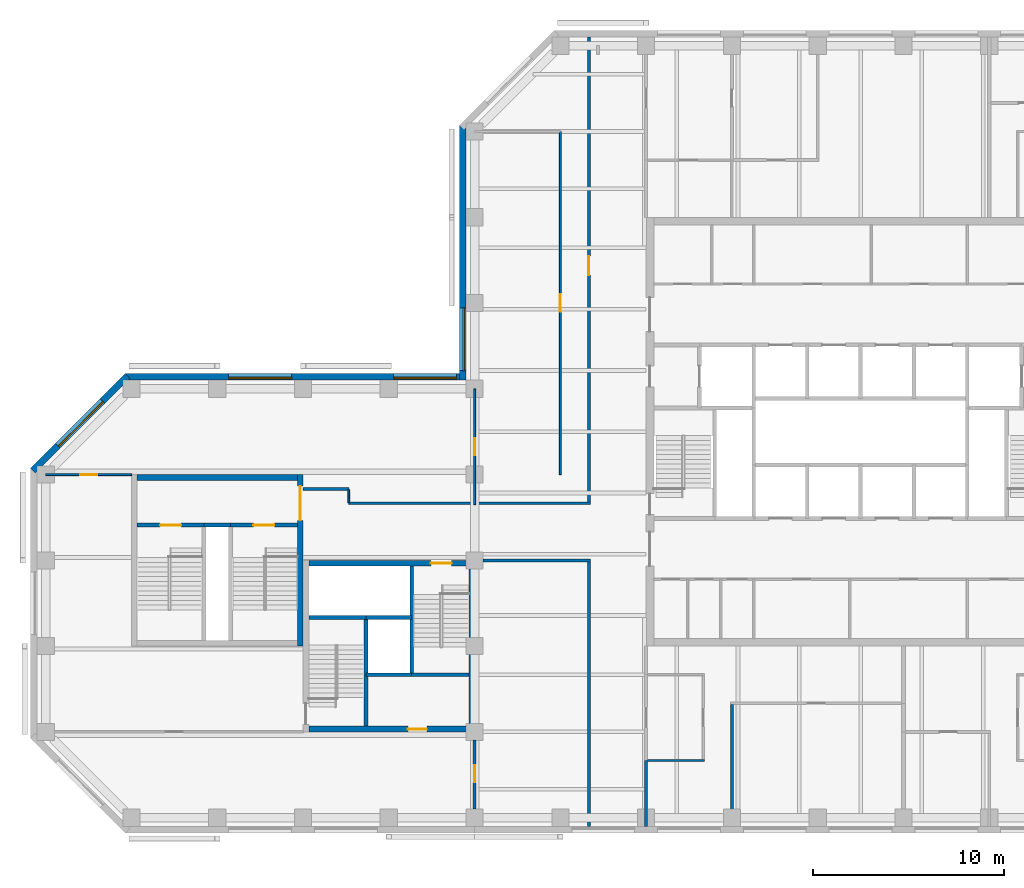
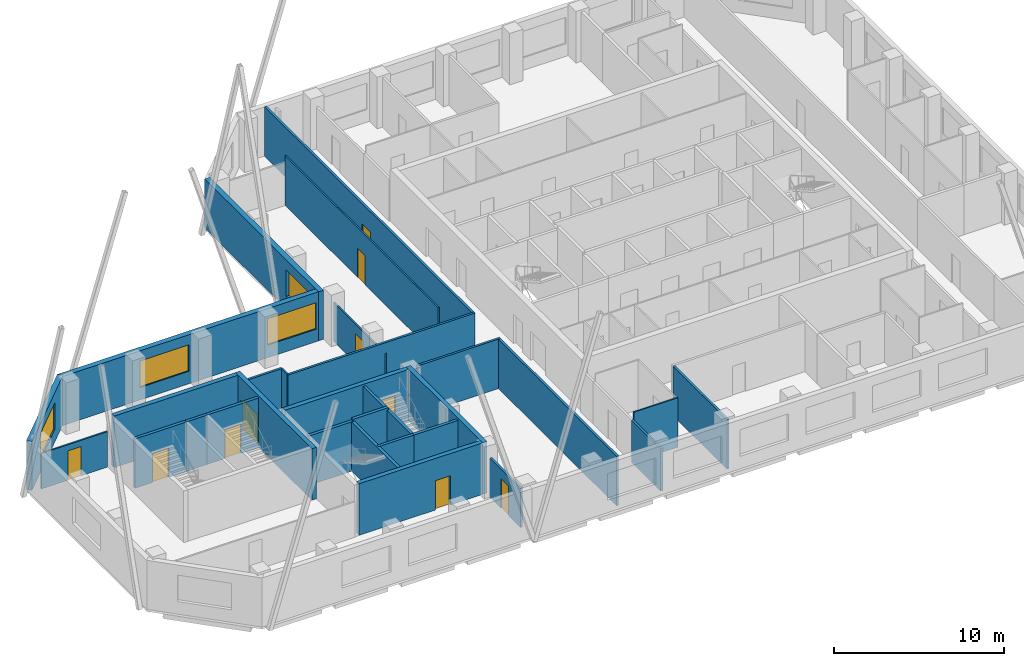
# One storey, part 3 of 9: 30 walls, 10 doors, 4 windows, 14 openings.
"""IFC4 building model written with IfcOpenShell, lengths in metres."""

import ifcopenshell
import ifcopenshell.guid

model = None  # the IFC model being written
_history = None  # IfcOwnerHistory: only IFC2X3 demands one
_inside = {}  # id of a spatial element -> (the spatial element, [elements in it])
_under = {}  # id of a project, library or spatial element -> (it, [spatial elements below it])
_declared = {}  # id of a project -> (the project, [libraries it declares])
_typed = {}  # id of a type object -> (the type object, [elements of that type])
_made_of = {}  # id of a material, layer set ... -> (it, [elements and type objects made of it])


def new_model(schema):
    """Start an empty IFC model of exactly this schema.

    Asked for "IFC4X3", IfcOpenShell would pick the latest addendum, in which some entities
    have other attributes; the version numbers below select the first issue.
    IFC2X3 requires an IfcOwnerHistory on every rooted entity: one is made here for all.
    """
    global model, _history
    if schema == "IFC4X3":
        model = ifcopenshell.file(schema_version=(4, 3, 0, 0))
    else:
        model = ifcopenshell.file(schema=schema)
    _inside.clear()
    _under.clear()
    _declared.clear()
    _typed.clear()
    _made_of.clear()
    _history = None
    if model.schema == "IFC2X3":
        org = make("IfcOrganization", Name="unknown")
        user = make(
            "IfcPersonAndOrganization",
            ThePerson=make("IfcPerson", FamilyName="unknown"),
            TheOrganization=org,
        )
        app = make(
            "IfcApplication",
            ApplicationDeveloper=org,
            Version="unknown",
            ApplicationFullName="unknown",
            ApplicationIdentifier="unknown",
        )
        _history = make(
            "IfcOwnerHistory",
            OwningUser=user,
            OwningApplication=app,
            ChangeAction="ADDED",
            CreationDate=0,
        )
    return model


def make(cls, **values):
    """One entity of the class cls with the attributes given. An attribute that is None is left unset."""
    return model.create_entity(
        cls, **{name: value for name, value in values.items() if value is not None}
    )


def rooted(cls, **values):
    """An entity with a GlobalId (a new one), such as an element, a storey or a relation."""
    return make(cls, GlobalId=ifcopenshell.guid.new(), OwnerHistory=_history, **values)


def si_unit(unit_type, name, prefix=None):
    """IfcSIUnit, for example si_unit("LENGTHUNIT", "METRE", prefix="MILLI")."""
    return make("IfcSIUnit", UnitType=unit_type, Prefix=prefix, Name=name)


def assignment(units):
    """IfcUnitAssignment: the units of a project."""
    return None if units is None else make("IfcUnitAssignment", Units=units)


def point(xyz):
    """IfcCartesianPoint."""
    return None if xyz is None else make("IfcCartesianPoint", Coordinates=xyz)


def direction(xyz):
    """IfcDirection."""
    return None if xyz is None else make("IfcDirection", DirectionRatios=xyz)


def frame(location, z_axis=None, x_axis=None):
    """IfcAxis2Placement3D, a coordinate frame: its origin and axes. An axis left out is left unset."""
    return make(
        "IfcAxis2Placement3D",
        Location=point(location),
        Axis=direction(z_axis),
        RefDirection=direction(x_axis),
    )


def frame_2d(location, x_axis=None):
    """IfcAxis2Placement2D, a coordinate frame in the plane: its origin and x axis."""
    return make(
        "IfcAxis2Placement2D", Location=point(location), RefDirection=direction(x_axis)
    )


def origin():
    """The frame at (0, 0, 0) with its axes left unset."""
    return frame((0.0, 0.0, 0.0))


def place(relative_to, where):
    """IfcLocalPlacement: puts the frame where relative to a parent placement (None: the world)."""
    return make(
        "IfcLocalPlacement", PlacementRelTo=relative_to, RelativePlacement=where
    )


def context(
    kind, dimensions, precision=None, world=None, true_north=None, identifier=None
):
    """IfcGeometricRepresentationContext, for example the 3D "Model" context."""
    return make(
        "IfcGeometricRepresentationContext",
        ContextIdentifier=identifier,
        ContextType=kind,
        CoordinateSpaceDimension=dimensions,
        Precision=precision,
        WorldCoordinateSystem=world,
        TrueNorth=true_north,
    )


def subcontext(parent, identifier, kind, view, scale=None):
    """IfcGeometricRepresentationSubContext, for example "Body" below "Model"."""
    return make(
        "IfcGeometricRepresentationSubContext",
        ContextIdentifier=identifier,
        ContextType=kind,
        ParentContext=parent,
        TargetScale=scale,
        TargetView=view,
    )


def project(units=None, contexts=None):
    """IfcProject with its units and contexts."""
    return rooted(
        "IfcProject",
        Name="project",
        RepresentationContexts=contexts,
        UnitsInContext=assignment(units),
    )


def spatial(cls, under=None, at=None, **own):
    """A site, building, storey or space (cls), placed at a placement, below another one or the project."""
    s = rooted(cls, ObjectPlacement=at, **own)
    if under is not None:
        _under.setdefault(under.id(), (under, []))[1].append(s)
    return s


def profile(cls, at=None, kind="AREA", **sizes):
    """A parametric profile (cls). Its sizes go by their IFC names, for example OverallWidth=200.0."""
    return make(cls, ProfileType=kind, Position=at, **sizes)


def rectangle(**sizes):
    """IfcRectangleProfileDef."""
    return profile("IfcRectangleProfileDef", **sizes)


def extrude(swept, where, along, depth):
    """IfcExtrudedAreaSolid: the profile swept, set in the frame where, extruded along a direction by depth."""
    return make(
        "IfcExtrudedAreaSolid",
        SweptArea=swept,
        Position=where,
        ExtrudedDirection=direction(along),
        Depth=depth,
    )


def shape(context_of_items, identifier, shape_type, items):
    """IfcShapeRepresentation: the items that make up one representation, for example the "Body"."""
    return make(
        "IfcShapeRepresentation",
        ContextOfItems=context_of_items,
        RepresentationIdentifier=identifier,
        RepresentationType=shape_type,
        Items=items,
    )


def material(Name=None, Category=None):
    """IfcMaterial."""
    return make("IfcMaterial", Name=Name, Category=Category)


def layer(
    of_material, thickness, ventilated=None, Name=None, Category=None, Priority=None
):
    """IfcMaterialLayer: one layer of a wall or slab, of a material (None: an air gap)."""
    return make(
        "IfcMaterialLayer",
        Material=of_material,
        LayerThickness=thickness,
        IsVentilated=ventilated,
        Name=Name,
        Category=Category,
        Priority=Priority,
    )


def layer_set(layers, Name=None):
    """IfcMaterialLayerSet."""
    return make("IfcMaterialLayerSet", MaterialLayers=layers, LayerSetName=Name)


def constituent(of_material, Name=None, Category=None, fraction=None):
    """IfcMaterialConstituent: one of the materials an element consists of."""
    return make(
        "IfcMaterialConstituent",
        Name=Name,
        Material=of_material,
        Fraction=fraction,
        Category=Category,
    )


def constituent_set(constituents=None, Name=None):
    """IfcMaterialConstituentSet."""
    return make(
        "IfcMaterialConstituentSet", Name=Name, MaterialConstituents=constituents
    )


def made_of(thing, what):
    """Note that an element or type object is made of a material, layer set ...; save() writes the relation."""
    if what is not None:
        _made_of.setdefault(what.id(), (what, []))[1].append(thing)
    return thing


def type_object(cls, material=None, **own):
    """A type object (cls), such as IfcWallType, which elements share."""
    return made_of(rooted(cls, **own), material)


def element(
    cls,
    number,
    at=None,
    inside=None,
    cuts=None,
    type_object=None,
    material=None,
    context=None,
    identifier="Body",
    shape_type=None,
    held_by="IfcProductDefinitionShape",
    body=None,
    shapes=None,
    **own,
):
    """One element of the class cls, such as IfcWall. Its Tag is "e" and its number.

    at: its placement. inside: the storey or other place that contains it. cuts: it is an
    opening in that element (IfcRelVoidsElement). A single representation is given by context,
    identifier, shape_type and body (its items); several are given by shapes. held_by: the class
    of the entity that holds the representations. save() writes the other relations.
    """
    e = rooted(cls, Tag="e%d" % number, ObjectPlacement=at, **own)
    if body is not None:
        shapes = [shape(context, identifier, shape_type, body)]
    if shapes is not None:
        e.Representation = make(held_by, Representations=shapes)
    if inside is not None:
        _inside.setdefault(inside.id(), (inside, []))[1].append(e)
    if cuts is not None:
        rooted(
            "IfcRelVoidsElement", RelatingBuildingElement=cuts, RelatedOpeningElement=e
        )
    if type_object is not None:
        _typed.setdefault(type_object.id(), (type_object, []))[1].append(e)
    return made_of(e, material)


def fill(opening, filler):
    """IfcRelFillsElement: the door or window that sits in an opening."""
    return rooted(
        "IfcRelFillsElement",
        RelatingOpeningElement=opening,
        RelatedBuildingElement=filler,
    )


def aggregate(whole, parts):
    """IfcRelAggregates: a whole, such as a stair, and the parts it consists of."""
    return rooted("IfcRelAggregates", RelatingObject=whole, RelatedObjects=parts)


def save(model, path):
    """Write the relations noted so far, then the file.

    IfcRelAggregates (storeys below a building ...), IfcRelContainedInSpatialStructure (elements
    in a storey), IfcRelDefinesByType, IfcRelAssociatesMaterial and IfcRelDeclares: one each for
    every whole, place, type object, material and project.
    """
    for whole, parts in _under.values():
        aggregate(whole, parts)
    for where, things in _inside.values():
        rooted(
            "IfcRelContainedInSpatialStructure",
            RelatedElements=things,
            RelatingStructure=where,
        )
    for kind, things in _typed.values():
        rooted("IfcRelDefinesByType", RelatedObjects=things, RelatingType=kind)
    for what, things in _made_of.values():
        rooted("IfcRelAssociatesMaterial", RelatedObjects=things, RelatingMaterial=what)
    for by, libraries in _declared.values():
        rooted("IfcRelDeclares", RelatingContext=by, RelatedDefinitions=libraries)
    model.write(path)


model = new_model("IFC4")

# Units and contexts
model_context = context("Model", 3, precision=1e-05, world=origin(), true_north=direction((0.0, 1.0)))
body_context = subcontext(model_context, "Body", "Model", "MODEL_VIEW")
ifc_project = project(units=[si_unit("LENGTHUNIT", "METRE"), si_unit("AREAUNIT", "SQUARE_METRE"), si_unit("VOLUMEUNIT", "CUBIC_METRE"), si_unit("PLANEANGLEUNIT", "RADIAN"), si_unit("MASSUNIT", "GRAM", prefix="KILO")], contexts=[model_context])

# Site, building, storey
site_placement = place(None, origin())
site = spatial("IfcSite", under=ifc_project, at=site_placement, CompositionType="ELEMENT")
building_placement = place(site_placement, origin())
building = spatial("IfcBuilding", under=site, at=building_placement, Name="Quoin Convention Tower", CompositionType="ELEMENT")
storey_placement = place(building_placement, frame((0.0, 0.0, 219.300048828125)))
storey = spatial("IfcBuildingStorey", under=building, at=storey_placement, Name="L57", CompositionType="ELEMENT", Elevation=219.300048828125)

# Wall
ifc_material_1 = material(Name="Plasterboard")
ifc_layer_1 = layer(ifc_material_1, 0.012451171875, Name="Finish")
ifc_material_2 = material(Name="Steel stud framing", Category="steel")
ifc_layer_2 = layer(ifc_material_2, 0.125, Name="Structure")
ifc_layer_3 = layer(ifc_material_1, 0.012451171875, Name="Finish")
ifc_layer_set_1 = layer_set([ifc_layer_1, ifc_layer_2, ifc_layer_3], Name="Steel stud framing")
wall_type_1 = type_object("IfcWallType", Name="Acoustic partition 150", PredefinedType="PARTITIONING", material=ifc_layer_set_1)
wall_1_placement = place(storey_placement, frame((49.5, 40.050048828125, 0.0), z_axis=(0.0, 0.0, 1.0), x_axis=(0.0, 1.0, 0.0)))
element("IfcWall", 1, at=wall_1_placement, inside=storey, type_object=wall_type_1, Name="pw-L57-028", PredefinedType="PARTITIONING", context=body_context, shape_type="SweptSolid", body=[
    extrude(rectangle(XDim=6.375, YDim=0.14990234375, at=frame_2d((3.1875, 0.0))), origin(), (0.0, 0.0, 1.0), 3.550048828125),
])

# Wall, opening, window
ifc_material_3 = material(Name="Brick masonry", Category="masonry")
ifc_layer_4 = layer(ifc_material_3, 0.35009765625)
ifc_layer_set_2 = layer_set([ifc_layer_4], Name="Brick masonry")
wall_type_2 = type_object("IfcWallType", Name="Brick facade wall", PredefinedType="STANDARD", material=ifc_layer_set_2)
wall_2_placement = place(storey_placement, frame((35.375, 76.831298828125, 0.0), z_axis=(0.0, 0.0, 1.0), x_axis=(0.0, -1.0, 0.0)))
wall_2 = element("IfcWall", 2, at=wall_2_placement, inside=storey, type_object=wall_type_2, Name="fw-L57-36000_76500", PredefinedType="STANDARD", context=body_context, shape_type="SweptSolid", body=[
    extrude(rectangle(XDim=13.38134765625, YDim=0.35009765625, at=frame_2d((6.690673828125, 0.0))), origin(), (0.0, 0.0, 1.0), 3.52490234375),
])
opening_1_placement = place(wall_2_placement, frame((9.581298828125, 0.0, 0.89990234375)))
opening_1 = element("IfcOpeningElement", 3, at=opening_1_placement, cuts=wall_2, Name="Opening W-02", PredefinedType="OPENING", context=body_context, shape_type="SweptSolid", body=[
    extrude(rectangle(XDim=3.300048828125, YDim=1.89990234375, at=frame_2d((1.64990234375, 0.949951171875))), frame((0.0, 0.18505859375, 0.0), z_axis=(0.0, -1.0, 0.0), x_axis=(1.0, 0.0, 0.0)), (0.0, 0.0, 1.0), 0.3701171875),
])
ifc_material_4 = material(Name="Aluminium", Category="aluminium")
ifc_constituent_1 = constituent(ifc_material_4, Name="Frame")
ifc_material_5 = material(Name="Insulated glass", Category="glass")
ifc_constituent_2 = constituent(ifc_material_5, Name="Glazing")
ifc_constituent_set = constituent_set(constituents=[ifc_constituent_1, ifc_constituent_2], Name="Aluminium")
window_type = type_object("IfcWindowType", Name="Office window", PartitioningType="DOUBLE_PANEL_VERTICAL", PredefinedType="WINDOW", material=ifc_constituent_set)
window_1_placement = place(opening_1_placement, origin())
window_1 = element("IfcWindow", 4, at=window_1_placement, inside=storey, type_object=window_type, Name="win-L57-35375_65250", OverallHeight=1.89990234375, OverallWidth=3.300048828125, PartitioningType="SINGLE_PANEL", PredefinedType="WINDOW", context=body_context, shape_type="SweptSolid", body=[
    extrude(rectangle(XDim=3.300048828125, YDim=1.89990234375, at=frame_2d((1.64990234375, 0.949951171875))), frame((0.0, 0.0849609375, 0.0), z_axis=(0.0, -1.0, 0.0), x_axis=(1.0, 0.0, 0.0)), (0.0, 0.0, 1.0), 0.06005859375),
])
fill(opening_1, window_1)

# Wall, openings, windows
wall_3_placement = place(storey_placement, frame((35.550048828125, 63.625, 0.0), z_axis=(0.0, 0.0, 1.0), x_axis=(-1.0, 0.0, 0.0)))
wall_3 = element("IfcWall", 5, at=wall_3_placement, inside=storey, type_object=wall_type_2, Name="fw-L57-36000_63000", PredefinedType="STANDARD", context=body_context, shape_type="SweptSolid", body=[
    extrude(rectangle(XDim=17.88134765625, YDim=0.35009765625, at=frame_2d((8.940673828125, 0.0))), origin(), (0.0, 0.0, 1.0), 3.52490234375),
])
opening_2_placement = place(wall_3_placement, frame((0.5, 0.0, 0.89990234375)))
opening_2 = element("IfcOpeningElement", 6, at=opening_2_placement, cuts=wall_3, Name="Opening W-02", PredefinedType="OPENING", context=body_context, shape_type="SweptSolid", body=[
    extrude(rectangle(XDim=3.300048828125, YDim=1.89990234375, at=frame_2d((1.64990234375, 0.949951171875))), frame((0.0, 0.18505859375, 0.0), z_axis=(0.0, -1.0, 0.0), x_axis=(1.0, 0.0, 0.0)), (0.0, 0.0, 1.0), 0.3701171875),
])
opening_3_placement = place(wall_3_placement, frame((9.14990234375, 0.0, 0.89990234375)))
opening_3 = element("IfcOpeningElement", 7, at=opening_3_placement, cuts=wall_3, Name="Opening W-02", PredefinedType="OPENING", context=body_context, shape_type="SweptSolid", body=[
    extrude(rectangle(XDim=3.300048828125, YDim=1.89990234375, at=frame_2d((1.64990234375, 0.949951171875))), frame((0.0, 0.18505859375, 0.0), z_axis=(0.0, -1.0, 0.0), x_axis=(1.0, 0.0, 0.0)), (0.0, 0.0, 1.0), 0.3701171875),
])
window_2_placement = place(opening_2_placement, origin())
window_2 = element("IfcWindow", 8, at=window_2_placement, inside=storey, type_object=window_type, Name="win-L57-33750_63625", OverallHeight=1.89990234375, OverallWidth=3.300048828125, PartitioningType="SINGLE_PANEL", PredefinedType="WINDOW", context=body_context, shape_type="SweptSolid", body=[
    extrude(rectangle(XDim=3.300048828125, YDim=1.89990234375, at=frame_2d((1.64990234375, 0.949951171875))), frame((0.0, 0.0849609375, 0.0), z_axis=(0.0, -1.0, 0.0), x_axis=(1.0, 0.0, 0.0)), (0.0, 0.0, 1.0), 0.06005859375),
])
fill(opening_2, window_2)
window_3_placement = place(opening_3_placement, origin())
window_3 = element("IfcWindow", 9, at=window_3_placement, inside=storey, type_object=window_type, Name="win-L57-24750_63625", OverallHeight=1.89990234375, OverallWidth=3.300048828125, PartitioningType="SINGLE_PANEL", PredefinedType="WINDOW", context=body_context, shape_type="SweptSolid", body=[
    extrude(rectangle(XDim=3.300048828125, YDim=1.89990234375, at=frame_2d((1.64990234375, 0.949951171875))), frame((0.0, 0.0849609375, 0.0), z_axis=(0.0, -1.0, 0.0), x_axis=(1.0, 0.0, 0.0)), (0.0, 0.0, 1.0), 0.06005859375),
])
fill(opening_3, window_3)

# Wall, opening, window
wall_4_placement = place(storey_placement, frame((17.79248046875, 63.67626953125, 0.0), z_axis=(0.0, 0.0, 1.0), x_axis=(-0.707106781187, -0.707106781187, 0.0)))
wall_4 = element("IfcWall", 10, at=wall_4_placement, inside=storey, type_object=wall_type_2, Name="fw-L57-18000_63000", PredefinedType="STANDARD", context=body_context, shape_type="SweptSolid", body=[
    extrude(rectangle(XDim=7.02685546875, YDim=0.35009765625, at=frame_2d((3.513427734375, 0.0))), origin(), (0.0, 0.0, 1.0), 3.52490234375),
])
opening_4_placement = place(wall_4_placement, frame((1.86328125, 0.0, 0.89990234375)))
opening_4 = element("IfcOpeningElement", 11, at=opening_4_placement, cuts=wall_4, Name="Opening W-02", PredefinedType="OPENING", context=body_context, shape_type="SweptSolid", body=[
    extrude(rectangle(XDim=3.300048828125, YDim=1.89990234375, at=frame_2d((1.64990234375, 0.949951171875))), frame((0.0, 0.18505859375, 0.0), z_axis=(0.0, -1.0, 0.0), x_axis=(1.0, 0.0, 0.0)), (0.0, 0.0, 1.0), 0.3701171875),
])
window_4_placement = place(opening_4_placement, origin())
window_4 = element("IfcWindow", 12, at=window_4_placement, inside=storey, type_object=window_type, Name="win-L57-15308_61192", OverallHeight=1.89990234375, OverallWidth=3.300048828125, PartitioningType="SINGLE_PANEL", PredefinedType="WINDOW", context=body_context, shape_type="SweptSolid", body=[
    extrude(rectangle(XDim=3.300048828125, YDim=1.89990234375, at=frame_2d((1.64990234375, 0.949951171875))), frame((0.0, 0.0849609375, 0.0), z_axis=(0.0, -1.0, 0.0), x_axis=(1.0, 0.0, 0.0)), (0.0, 0.0, 1.0), 0.06005859375),
])
fill(opening_4, window_4)

# Walls
ifc_material_6 = material(Name="Concrete C50", Category="concrete")
ifc_layer_5 = layer(ifc_material_6, 0.199951171875)
ifc_layer_set_3 = layer_set([ifc_layer_5], Name="Concrete C50")
wall_type_3 = type_object("IfcWallType", Name="Core shaft wall", PredefinedType="SOLIDWALL", material=ifc_layer_set_3)
wall_5_placement = place(storey_placement, frame((30.300048828125, 48.0, 0.0), z_axis=(0.0, 0.0, 1.0), x_axis=(1.0, 0.0, 0.0)))
element("IfcWall", 13, at=wall_5_placement, inside=storey, type_object=wall_type_3, Name="cr-P2-L57-h3000_3300", PredefinedType="SOLIDWALL", context=body_context, shape_type="SweptSolid", body=[
    extrude(rectangle(XDim=2.39990234375, YDim=0.199951171875, at=frame_2d((1.199951171875, 0.0))), origin(), (0.0, 0.0, 1.0), 3.550048828125),
])
for number, where, z_axis, x_axis, name in (
    (14, (32.699951171875, 48.0, 0.0), (0.0, 0.0, 1.0), (1.0, 0.0, 0.0), "cr-P2-L57-h3000_5700"),
    (15, (27.300048828125, 51.0, 0.0), (0.0, 0.0, 1.0), (1.0, 0.0, 0.0), "cr-P2-L57-h6000_300"),
):
    element("IfcWall", number, at=place(storey_placement, frame(where, z_axis=z_axis, x_axis=x_axis)), inside=storey, type_object=wall_type_3, Name=name, PredefinedType="SOLIDWALL", context=body_context, shape_type="SweptSolid", body=[
        extrude(rectangle(XDim=3.0, YDim=0.199951171875, at=frame_2d((1.5, 0.0))), origin(), (0.0, 0.0, 1.0), 3.550048828125),
    ])
for number, where, z_axis, x_axis, name in (
    (16, (30.300048828125, 45.300048828125, 0.0), (0.0, 0.0, 1.0), (0.0, 1.0, 0.0), "cr-P2-L57-v3300_300"),
    (17, (32.699951171875, 48.0, 0.0), (0.0, 0.0, 1.0), (0.0, 1.0, 0.0), "cr-P2-L57-v5700_3000"),
):
    element("IfcWall", number, at=place(storey_placement, frame(where, z_axis=z_axis, x_axis=x_axis)), inside=storey, type_object=wall_type_3, Name=name, PredefinedType="SOLIDWALL", context=body_context, shape_type="SweptSolid", body=[
        extrude(rectangle(XDim=5.699951171875, YDim=0.199951171875, at=frame_2d((2.85009765625, 0.0))), origin(), (0.0, 0.0, 1.0), 3.550048828125),
    ])
wall_6_placement = place(storey_placement, frame((21.800048828125, 55.85009765625, 0.0), z_axis=(0.0, 0.0, 1.0), x_axis=(1.0, 0.0, 0.0)))
element("IfcWall", 18, at=wall_6_placement, inside=storey, type_object=wall_type_3, Name="cr-P6-L57-h6350_3800", PredefinedType="SOLIDWALL", context=body_context, shape_type="SweptSolid", body=[
    extrude(rectangle(XDim=1.39990234375, YDim=0.199951171875, at=frame_2d((0.699951171875, 0.0))), origin(), (0.0, 0.0, 1.0), 3.550048828125),
])

# Wall, opening, door
wall_7_placement = place(storey_placement, frame((18.300048828125, 55.85009765625, 0.0), z_axis=(0.0, 0.0, 1.0), x_axis=(1.0, 0.0, 0.0)))
wall_7 = element("IfcWall", 19, at=wall_7_placement, inside=storey, type_object=wall_type_3, Name="cr-P6-L57-h6350_300", PredefinedType="SOLIDWALL", context=body_context, shape_type="SweptSolid", body=[
    extrude(rectangle(XDim=3.5, YDim=0.199951171875, at=frame_2d((1.75, 0.0))), origin(), (0.0, 0.0, 1.0), 3.550048828125),
])
opening_5_placement = place(wall_7_placement, frame((1.199951171875, 0.0, 0.0)))
opening_5 = element("IfcOpeningElement", 20, at=opening_5_placement, cuts=wall_7, Name="Opening SD11", PredefinedType="OPENING", context=body_context, shape_type="SweptSolid", body=[
    extrude(rectangle(XDim=1.10009765625, YDim=2.10009765625, at=frame_2d((0.550048828125, 1.050048828125))), frame((0.0, 0.10986328125, 0.0), z_axis=(0.0, -1.0, 0.0), x_axis=(1.0, 0.0, 0.0)), (0.0, 0.0, 1.0), 0.219970703125),
])
ifc_material_7 = material(Name="Steel door leaf", Category="steel")
door_type_1 = type_object("IfcDoorType", Name="Stair door 1100 x 2100", OperationType="SINGLE_SWING_RIGHT", PredefinedType="DOOR", material=ifc_material_7)
door_1_placement = place(opening_5_placement, origin())
door_1 = element("IfcDoor", 21, at=door_1_placement, inside=storey, type_object=door_type_1, Name="cd-P6-L57-SA-R2-SD11", OperationType="SINGLE_SWING_RIGHT", OverallHeight=2.10009765625, OverallWidth=1.10009765625, PredefinedType="DOOR", context=body_context, shape_type="SweptSolid", body=[
    extrude(rectangle(XDim=1.10009765625, YDim=2.10009765625, at=frame_2d((0.550048828125, 1.050048828125))), frame((0.0, 0.02490234375, 0.0), z_axis=(0.0, -1.0, 0.0), x_axis=(1.0, 0.0, 0.0)), (0.0, 0.0, 1.0), 0.050048828125),
])
fill(opening_5, door_1)

wall_8_placement = place(storey_placement, frame((23.199951171875, 55.85009765625, 0.0), z_axis=(0.0, 0.0, 1.0), x_axis=(1.0, 0.0, 0.0)))
wall_8 = element("IfcWall", 22, at=wall_8_placement, inside=storey, type_object=wall_type_3, Name="cr-P6-L57-h6350_5200", PredefinedType="SOLIDWALL", context=body_context, shape_type="SweptSolid", body=[
    extrude(rectangle(XDim=3.5, YDim=0.199951171875, at=frame_2d((1.75, 0.0))), origin(), (0.0, 0.0, 1.0), 3.550048828125),
])
opening_6_placement = place(wall_8_placement, frame((1.199951171875, 0.0, 0.0)))
opening_6 = element("IfcOpeningElement", 23, at=opening_6_placement, cuts=wall_8, Name="Opening SD12", PredefinedType="OPENING", context=body_context, shape_type="SweptSolid", body=[
    extrude(rectangle(XDim=1.10009765625, YDim=2.10009765625, at=frame_2d((0.550048828125, 1.050048828125))), frame((0.0, 0.10986328125, 0.0), z_axis=(0.0, -1.0, 0.0), x_axis=(1.0, 0.0, 0.0)), (0.0, 0.0, 1.0), 0.219970703125),
])
door_2_placement = place(opening_6_placement, origin())
door_2 = element("IfcDoor", 24, at=door_2_placement, inside=storey, type_object=door_type_1, Name="cd-P6-L57-SB-R2-SD12", OperationType="SINGLE_SWING_RIGHT", OverallHeight=2.10009765625, OverallWidth=1.10009765625, PredefinedType="DOOR", context=body_context, shape_type="SweptSolid", body=[
    extrude(rectangle(XDim=1.10009765625, YDim=2.10009765625, at=frame_2d((0.550048828125, 1.050048828125))), frame((0.0, 0.02490234375, 0.0), z_axis=(0.0, -1.0, 0.0), x_axis=(1.0, 0.0, 0.0)), (0.0, 0.0, 1.0), 0.050048828125),
])
fill(opening_6, door_2)

# Walls
ifc_layer_6 = layer(ifc_material_6, 0.199951171875)
ifc_layer_set_4 = layer_set([ifc_layer_6], Name="Concrete C50")
wall_type_4 = type_object("IfcWallType", Name="Core shaft wall to the floor level over", PredefinedType="SOLIDWALL", material=ifc_layer_set_4)
wall_9_placement = place(storey_placement, frame((30.300048828125, 51.0, 0.0), z_axis=(0.0, 0.0, 1.0), x_axis=(1.0, 0.0, 0.0)))
element("IfcWall", 25, at=wall_9_placement, inside=storey, type_object=wall_type_4, Name="cr-P2-L57-h6000_3300", PredefinedType="SOLIDWALL", context=body_context, shape_type="SweptSolid", body=[
    extrude(rectangle(XDim=2.39990234375, YDim=0.199951171875, at=frame_2d((1.199951171875, 0.0))), origin(), (0.0, 0.0, 1.0), 3.699951171875),
])
ifc_layer_7 = layer(ifc_material_1, 0.012451171875, Name="Finish")
ifc_layer_8 = layer(ifc_material_2, 0.125, Name="Structure")
ifc_layer_9 = layer(ifc_material_1, 0.012451171875, Name="Finish")
ifc_layer_set_5 = layer_set([ifc_layer_7, ifc_layer_8, ifc_layer_9], Name="Steel stud framing")
wall_type_5 = type_object("IfcWallType", Name="Corridor wall 150", PredefinedType="PARTITIONING", material=ifc_layer_set_5)
wall_10_placement = place(storey_placement, frame((36.449951171875, 54.0, 0.0), z_axis=(0.0, 0.0, 1.0), x_axis=(1.0, 0.0, 0.0)))
element("IfcWall", 26, at=wall_10_placement, inside=storey, type_object=wall_type_5, Name="pw-L57-013", PredefinedType="PARTITIONING", context=body_context, shape_type="SweptSolid", body=[
    extrude(rectangle(XDim=5.625, YDim=0.14990234375, at=frame_2d((2.8125, 0.0))), origin(), (0.0, 0.0, 1.0), 3.550048828125),
])
wall_11_placement = place(storey_placement, frame((29.3798828125, 57.0, 0.0), z_axis=(0.0, 0.0, 1.0), x_axis=(1.0, 0.0, 0.0)))
element("IfcWall", 27, at=wall_11_placement, inside=storey, type_object=wall_type_5, Name="pw-L57-016", PredefinedType="PARTITIONING", context=body_context, shape_type="SweptSolid", body=[
    extrude(rectangle(XDim=12.695068359375, YDim=0.14990234375, at=frame_2d((6.34765625, 0.0))), origin(), (0.0, 0.0, 1.0), 3.550048828125),
])
wall_12_placement = place(storey_placement, frame((42.0, 40.050048828125, 0.0), z_axis=(0.0, 0.0, 1.0), x_axis=(0.0, 1.0, 0.0)))
element("IfcWall", 28, at=wall_12_placement, inside=storey, type_object=wall_type_5, Name="pw-L57-026", PredefinedType="PARTITIONING", context=body_context, shape_type="SweptSolid", body=[
    extrude(rectangle(XDim=13.875, YDim=0.14990234375, at=frame_2d((6.9375, 0.0))), origin(), (0.0, 0.0, 1.0), 3.550048828125),
])

# Wall, opening, door
wall_13_placement = place(storey_placement, frame((42.0, 57.074951171875, 0.0), z_axis=(0.0, 0.0, 1.0), x_axis=(0.0, 1.0, 0.0)))
wall_13 = element("IfcWall", 29, at=wall_13_placement, inside=storey, type_object=wall_type_5, Name="pw-L57-050", PredefinedType="PARTITIONING", context=body_context, shape_type="SweptSolid", body=[
    extrude(rectangle(XDim=24.375, YDim=0.14990234375, at=frame_2d((12.1875, 0.0))), origin(), (0.0, 0.0, 1.0), 3.550048828125),
])
opening_7_placement = place(wall_13_placement, frame((11.889892578125, 0.0, 0.0)))
opening_7 = element("IfcOpeningElement", 30, at=opening_7_placement, cuts=wall_13, Name="Opening DOH9-17", PredefinedType="OPENING", context=body_context, shape_type="SweptSolid", body=[
    extrude(rectangle(XDim=1.0, YDim=2.10009765625, at=frame_2d((0.5, 1.050048828125))), frame((0.0, 0.0849609375, 0.0), z_axis=(0.0, -1.0, 0.0), x_axis=(1.0, 0.0, 0.0)), (0.0, 0.0, 1.0), 0.169921875),
])
door_type_2 = type_object("IfcDoorType", Name="Tenancy entrance door 1000 x 2100", OperationType="DOUBLE_DOOR_SINGLE_SWING", PredefinedType="DOOR", material=ifc_material_7)
door_3_placement = place(opening_7_placement, origin())
door_3 = element("IfcDoor", 31, at=door_3_placement, inside=storey, type_object=door_type_2, Name="dr-L57-w01", OperationType="DOUBLE_DOOR_SINGLE_SWING", OverallHeight=2.10009765625, OverallWidth=1.0, PredefinedType="DOOR", context=body_context, shape_type="SweptSolid", body=[
    extrude(rectangle(XDim=1.0, YDim=2.10009765625, at=frame_2d((0.5, 1.050048828125))), frame((0.0, 0.02490234375, 0.0), z_axis=(0.0, -1.0, 0.0), x_axis=(1.0, 0.0, 0.0)), (0.0, 0.0, 1.0), 0.050048828125),
])
fill(opening_7, door_3)

# Walls
wall_14_placement = place(storey_placement, frame((27.0, 57.75, 0.0), z_axis=(0.0, 0.0, 1.0), x_axis=(1.0, 0.0, 0.0)))
element("IfcWall", 32, at=wall_14_placement, inside=storey, type_object=wall_type_5, Name="pw-L57-w07", PredefinedType="PARTITIONING", context=body_context, shape_type="SweptSolid", body=[
    extrude(rectangle(XDim=2.39990234375, YDim=0.14990234375, at=frame_2d((1.199951171875, 0.0))), origin(), (0.0, 0.0, 1.0), 3.550048828125),
])
ifc_layer_10 = layer(ifc_material_1, 0.012451171875, Name="Finish")
ifc_layer_11 = layer(ifc_material_2, 0.125, Name="Structure")
ifc_layer_12 = layer(ifc_material_1, 0.012451171875, Name="Finish")
ifc_layer_set_6 = layer_set([ifc_layer_10, ifc_layer_11, ifc_layer_12], Name="Steel stud framing")
wall_type_6 = type_object("IfcWallType", Name="Corridor wall 150 under beam 528", PredefinedType="PARTITIONING", material=ifc_layer_set_6)
wall_15_placement = place(storey_placement, frame((45.0, 40.050048828125, 0.0), z_axis=(0.0, 0.0, 1.0), x_axis=(0.0, 1.0, 0.0)))
element("IfcWall", 33, at=wall_15_placement, inside=storey, type_object=wall_type_6, Name="pw-L57-027", PredefinedType="PARTITIONING", context=body_context, shape_type="SweptSolid", body=[
    extrude(rectangle(XDim=3.449951171875, YDim=0.14990234375, at=frame_2d((1.72509765625, 0.0))), origin(), (0.0, 0.0, 1.0), 3.02197265625),
])

# Wall, opening, door
ifc_layer_13 = layer(ifc_material_1, 0.012451171875, Name="Finish")
ifc_layer_14 = layer(ifc_material_2, 0.125, Name="Structure")
ifc_layer_15 = layer(ifc_material_1, 0.012451171875, Name="Finish")
ifc_layer_set_7 = layer_set([ifc_layer_13, ifc_layer_14, ifc_layer_15], Name="Steel stud framing")
wall_type_7 = type_object("IfcWallType", Name="Corridor wall 150 under beam 750", PredefinedType="PARTITIONING", material=ifc_layer_set_7)
wall_16_placement = place(storey_placement, frame((36.0, 40.949951171875, 0.0), z_axis=(0.0, 0.0, 1.0), x_axis=(0.0, 1.0, 0.0)))
wall_16 = element("IfcWall", 34, at=wall_16_placement, inside=storey, type_object=wall_type_7, Name="pw-L57-033", PredefinedType="PARTITIONING", context=body_context, shape_type="SweptSolid", body=[
    extrude(rectangle(XDim=3.630126953125, YDim=0.14990234375, at=frame_2d((1.81494140625, 0.0))), origin(), (0.0, 0.0, 1.0), 2.800048828125),
])
opening_8_placement = place(wall_16_placement, frame((1.39990234375, 0.0, 0.0)))
opening_8 = element("IfcOpeningElement", 35, at=opening_8_placement, cuts=wall_16, Name="Opening DOH9-09", PredefinedType="OPENING", context=body_context, shape_type="SweptSolid", body=[
    extrude(rectangle(XDim=0.89990234375, YDim=2.10009765625, at=frame_2d((0.449951171875, 1.050048828125))), frame((0.0, 0.0849609375, 0.0), z_axis=(0.0, -1.0, 0.0), x_axis=(1.0, 0.0, 0.0)), (0.0, 0.0, 1.0), 0.169921875),
])
door_type_3 = type_object("IfcDoorType", Name="Office door 900 x 2100", OperationType="SINGLE_SWING_RIGHT", PredefinedType="DOOR", material=ifc_material_7)
door_4_placement = place(opening_8_placement, origin())
door_4 = element("IfcDoor", 36, at=door_4_placement, inside=storey, type_object=door_type_3, Name="dr-L57-01", OperationType="SINGLE_SWING_RIGHT", OverallHeight=2.10009765625, OverallWidth=0.89990234375, PredefinedType="DOOR", context=body_context, shape_type="SweptSolid", body=[
    extrude(rectangle(XDim=0.89990234375, YDim=2.10009765625, at=frame_2d((0.449951171875, 1.050048828125))), frame((0.0, 0.02490234375, 0.0), z_axis=(0.0, -1.0, 0.0), x_axis=(1.0, 0.0, 0.0)), (0.0, 0.0, 1.0), 0.050048828125),
])
fill(opening_8, door_4)

ifc_layer_16 = layer(ifc_material_6, 0.300048828125)
ifc_layer_set_8 = layer_set([ifc_layer_16], Name="Concrete C50")
wall_type_8 = type_object("IfcWallType", Name="RC CORE WALL 300 C50", PredefinedType="SHEAR", material=ifc_layer_set_8)
wall_17_placement = place(storey_placement, frame((27.300048828125, 45.14990234375, 0.0), z_axis=(0.0, 0.0, 1.0), x_axis=(1.0, 0.0, 0.0)))
wall_17 = element("IfcWall", 37, at=wall_17_placement, inside=storey, type_object=wall_type_8, Name="cwl-P2-L57-S", PredefinedType="SHEAR", context=body_context, shape_type="SweptSolid", body=[
    extrude(rectangle(XDim=8.39990234375, YDim=0.300048828125, at=frame_2d((4.199951171875, 0.0))), origin(), (0.0, 0.0, 1.0), 3.699951171875),
])
opening_9_placement = place(wall_17_placement, frame((5.199951171875, 0.0, 0.0)))
opening_9 = element("IfcOpeningElement", 38, at=opening_9_placement, cuts=wall_17, Name="Opening DCV1-50", PredefinedType="OPENING", context=body_context, shape_type="SweptSolid", body=[
    extrude(rectangle(XDim=1.0, YDim=2.10009765625, at=frame_2d((0.5, 1.050048828125))), frame((0.0, 0.159912109375, 0.0), z_axis=(0.0, -1.0, 0.0), x_axis=(1.0, 0.0, 0.0)), (0.0, 0.0, 1.0), 0.320068359375),
])
door_type_4 = type_object("IfcDoorType", Name="Service door 1000 x 2100", OperationType="SINGLE_SWING_LEFT", PredefinedType="DOOR", material=ifc_material_7)
door_5_placement = place(opening_9_placement, frame((1.0, 0.0, 0.0), z_axis=(0.0, 0.0, 1.0), x_axis=(-1.0, 0.0, 0.0)))
door_5 = element("IfcDoor", 39, at=door_5_placement, inside=storey, type_object=door_type_4, Name="cd-P2-L57-R2-S", OperationType="SINGLE_SWING_LEFT", OverallHeight=2.10009765625, OverallWidth=1.0, PredefinedType="DOOR", context=body_context, shape_type="SweptSolid", body=[
    extrude(rectangle(XDim=1.0, YDim=2.10009765625, at=frame_2d((0.5, 1.050048828125))), frame((0.0, 0.02490234375, 0.0), z_axis=(0.0, -1.0, 0.0), x_axis=(1.0, 0.0, 0.0)), (0.0, 0.0, 1.0), 0.050048828125),
])
fill(opening_9, door_5)

wall_18_placement = place(storey_placement, frame((27.300048828125, 53.85009765625, 0.0), z_axis=(0.0, 0.0, 1.0), x_axis=(1.0, 0.0, 0.0)))
wall_18 = element("IfcWall", 40, at=wall_18_placement, inside=storey, type_object=wall_type_8, Name="cwl-P2-L57-N", PredefinedType="SHEAR", context=body_context, shape_type="SweptSolid", body=[
    extrude(rectangle(XDim=8.39990234375, YDim=0.300048828125, at=frame_2d((4.199951171875, 0.0))), origin(), (0.0, 0.0, 1.0), 3.699951171875),
])
opening_10_placement = place(wall_18_placement, frame((6.39990234375, 0.0, 0.0)))
opening_10 = element("IfcOpeningElement", 41, at=opening_10_placement, cuts=wall_18, Name="Opening SD4", PredefinedType="OPENING", context=body_context, shape_type="SweptSolid", body=[
    extrude(rectangle(XDim=1.10009765625, YDim=2.10009765625, at=frame_2d((0.550048828125, 1.050048828125))), frame((0.0, 0.159912109375, 0.0), z_axis=(0.0, -1.0, 0.0), x_axis=(1.0, 0.0, 0.0)), (0.0, 0.0, 1.0), 0.320068359375),
])
door_6_placement = place(opening_10_placement, frame((1.10009765625, 0.0, 0.0), z_axis=(0.0, 0.0, 1.0), x_axis=(-1.0, 0.0, 0.0)))
door_6 = element("IfcDoor", 42, at=door_6_placement, inside=storey, type_object=door_type_1, Name="cd-P2-L57-SB-N", OperationType="SINGLE_SWING_LEFT", OverallHeight=2.10009765625, OverallWidth=1.10009765625, PredefinedType="DOOR", context=body_context, shape_type="SweptSolid", body=[
    extrude(rectangle(XDim=1.10009765625, YDim=2.10009765625, at=frame_2d((0.550048828125, 1.050048828125))), frame((0.0, 0.02490234375, 0.0), z_axis=(0.0, -1.0, 0.0), x_axis=(1.0, 0.0, 0.0)), (0.0, 0.0, 1.0), 0.050048828125),
])
fill(opening_10, door_6)

# Walls
wall_19_placement = place(storey_placement, frame((35.85009765625, 45.0, 0.0), z_axis=(0.0, 0.0, 1.0), x_axis=(0.0, 1.0, 0.0)))
element("IfcWall", 43, at=wall_19_placement, inside=storey, type_object=wall_type_8, Name="cwl-P2-L57-E", PredefinedType="SHEAR", context=body_context, shape_type="SweptSolid", body=[
    extrude(rectangle(XDim=9.0, YDim=0.300048828125, at=frame_2d((4.5, 0.0))), origin(), (0.0, 0.0, 1.0), 3.699951171875),
])
wall_20_placement = place(storey_placement, frame((18.300048828125, 58.35009765625, 0.0), z_axis=(0.0, 0.0, 1.0), x_axis=(1.0, 0.0, 0.0)))
element("IfcWall", 44, at=wall_20_placement, inside=storey, type_object=wall_type_8, Name="cwl-P6-L57-N", PredefinedType="SHEAR", context=body_context, shape_type="SweptSolid", body=[
    extrude(rectangle(XDim=8.39990234375, YDim=0.300048828125, at=frame_2d((4.199951171875, 0.0))), origin(), (0.0, 0.0, 1.0), 3.699951171875),
])

# Wall, opening, door
wall_21_placement = place(storey_placement, frame((26.85009765625, 49.5, 0.0), z_axis=(0.0, 0.0, 1.0), x_axis=(0.0, 1.0, 0.0)))
wall_21 = element("IfcWall", 45, at=wall_21_placement, inside=storey, type_object=wall_type_8, Name="cwl-P6-L57-E", PredefinedType="SHEAR", context=body_context, shape_type="SweptSolid", body=[
    extrude(rectangle(XDim=9.0, YDim=0.300048828125, at=frame_2d((4.5, 0.0))), origin(), (0.0, 0.0, 1.0), 3.699951171875),
])
opening_11_placement = place(wall_21_placement, frame((6.60009765625, 0.0, 0.0)))
opening_11 = element("IfcOpeningElement", 46, at=opening_11_placement, cuts=wall_21, Name="Opening DCV1-54", PredefinedType="OPENING", context=body_context, shape_type="SweptSolid", body=[
    extrude(rectangle(XDim=1.800048828125, YDim=2.10009765625, at=frame_2d((0.89990234375, 1.050048828125))), frame((0.0, 0.159912109375, 0.0), z_axis=(0.0, -1.0, 0.0), x_axis=(1.0, 0.0, 0.0)), (0.0, 0.0, 1.0), 0.320068359375),
])
door_type_5 = type_object("IfcDoorType", Name="Goods lobby door 1800 x 2100", OperationType="SINGLE_SWING_LEFT", PredefinedType="DOOR", material=ifc_material_7)
door_7_placement = place(opening_11_placement, origin())
door_7 = element("IfcDoor", 47, at=door_7_placement, inside=storey, type_object=door_type_5, Name="cd-P6-L57-R2-E", OperationType="SINGLE_SWING_LEFT", OverallHeight=2.10009765625, OverallWidth=1.800048828125, PredefinedType="DOOR", context=body_context, shape_type="SweptSolid", body=[
    extrude(rectangle(XDim=1.800048828125, YDim=2.10009765625, at=frame_2d((0.89990234375, 1.050048828125))), frame((0.0, 0.02490234375, 0.0), z_axis=(0.0, -1.0, 0.0), x_axis=(1.0, 0.0, 0.0)), (0.0, 0.0, 1.0), 0.050048828125),
])
fill(opening_11, door_7)

# Wall
ifc_layer_17 = layer(ifc_material_1, 0.012451171875, Name="Finish")
ifc_layer_18 = layer(ifc_material_2, 0.074951171875, Name="Structure")
ifc_layer_19 = layer(ifc_material_1, 0.012451171875, Name="Finish")
ifc_layer_set_9 = layer_set([ifc_layer_17, ifc_layer_18, ifc_layer_19], Name="Steel stud framing")
wall_type_9 = type_object("IfcWallType", Name="Stud partition 100", PredefinedType="PARTITIONING", material=ifc_layer_set_9)
wall_22_placement = place(storey_placement, frame((45.074951171875, 43.5, 0.0), z_axis=(0.0, 0.0, 1.0), x_axis=(1.0, 0.0, 0.0)))
element("IfcWall", 48, at=wall_22_placement, inside=storey, type_object=wall_type_9, Name="pw-L57-001", PredefinedType="PARTITIONING", context=body_context, shape_type="SweptSolid", body=[
    extrude(rectangle(XDim=2.97509765625, YDim=0.10009765625, at=frame_2d((1.487548828125, 0.0))), origin(), (0.0, 0.0, 1.0), 3.550048828125),
])

# Wall, opening, door
wall_23_placement = place(storey_placement, frame((40.5, 76.5, 0.0), z_axis=(0.0, 0.0, 1.0), x_axis=(0.0, -1.0, 0.0)))
wall_23 = element("IfcWall", 49, at=wall_23_placement, inside=storey, type_object=wall_type_9, Name="pw-L57-w02", PredefinedType="PARTITIONING", context=body_context, shape_type="SweptSolid", body=[
    extrude(rectangle(XDim=18.0, YDim=0.10009765625, at=frame_2d((9.0, 0.0))), origin(), (0.0, 0.0, 1.0), 3.550048828125),
])
opening_12_placement = place(wall_23_placement, frame((8.550048828125, 0.0, 0.0)))
opening_12 = element("IfcOpeningElement", 50, at=opening_12_placement, cuts=wall_23, Name="Opening DOH9-22", PredefinedType="OPENING", context=body_context, shape_type="SweptSolid", body=[
    extrude(rectangle(XDim=0.89990234375, YDim=2.10009765625, at=frame_2d((0.449951171875, 1.050048828125))), frame((0.0, 0.06005859375, 0.0), z_axis=(0.0, -1.0, 0.0), x_axis=(1.0, 0.0, 0.0)), (0.0, 0.0, 1.0), 0.1201171875),
])
door_8_placement = place(opening_12_placement, frame((0.89990234375, 0.0, 0.0), z_axis=(0.0, 0.0, 1.0), x_axis=(-1.0, 0.0, 0.0)))
door_8 = element("IfcDoor", 51, at=door_8_placement, inside=storey, type_object=door_type_3, Name="dr-L57-w02", OperationType="SINGLE_SWING_RIGHT", OverallHeight=2.10009765625, OverallWidth=0.89990234375, PredefinedType="DOOR", context=body_context, shape_type="SweptSolid", body=[
    extrude(rectangle(XDim=0.89990234375, YDim=2.10009765625, at=frame_2d((0.449951171875, 1.050048828125))), frame((0.0, 0.02490234375, 0.0), z_axis=(0.0, -1.0, 0.0), x_axis=(1.0, 0.0, 0.0)), (0.0, 0.0, 1.0), 0.050048828125),
])
fill(opening_12, door_8)

# Wall
wall_24_placement = place(storey_placement, frame((29.39990234375, 57.715087890625, 0.0), z_axis=(0.0, 0.0, 1.0), x_axis=(0.0, -1.0, 0.0)))
element("IfcWall", 52, at=wall_24_placement, inside=storey, type_object=wall_type_9, Name="pw-L57-w08", PredefinedType="PARTITIONING", context=body_context, shape_type="SweptSolid", body=[
    extrude(rectangle(XDim=0.68017578125, YDim=0.10009765625, at=frame_2d((0.340087890625, 0.0))), origin(), (0.0, 0.0, 1.0), 3.550048828125),
])

# Wall, opening, door
ifc_layer_20 = layer(ifc_material_1, 0.012451171875, Name="Finish")
ifc_layer_21 = layer(ifc_material_2, 0.074951171875, Name="Structure")
ifc_layer_22 = layer(ifc_material_1, 0.012451171875, Name="Finish")
ifc_layer_set_10 = layer_set([ifc_layer_20, ifc_layer_21, ifc_layer_22], Name="Steel stud framing")
wall_type_10 = type_object("IfcWallType", Name="Stud partition 100 under beam 1000", PredefinedType="PARTITIONING", material=ifc_layer_set_10)
wall_25_placement = place(storey_placement, frame((13.5, 58.5, 0.0), z_axis=(0.0, 0.0, 1.0), x_axis=(1.0, 0.0, 0.0)))
wall_25 = element("IfcWall", 53, at=wall_25_placement, inside=storey, type_object=wall_type_10, Name="pw-L57-w04", PredefinedType="PARTITIONING", context=body_context, shape_type="SweptSolid", body=[
    extrude(rectangle(XDim=4.5, YDim=0.10009765625, at=frame_2d((2.25, 0.0))), origin(), (0.0, 0.0, 1.0), 2.550048828125),
])
opening_13_placement = place(wall_25_placement, frame((1.800048828125, 0.0, 0.0)))
opening_13 = element("IfcOpeningElement", 54, at=opening_13_placement, cuts=wall_25, Name="Opening DOH9-24", PredefinedType="OPENING", context=body_context, shape_type="SweptSolid", body=[
    extrude(rectangle(XDim=0.89990234375, YDim=2.10009765625, at=frame_2d((0.449951171875, 1.050048828125))), frame((0.0, 0.06005859375, 0.0), z_axis=(0.0, -1.0, 0.0), x_axis=(1.0, 0.0, 0.0)), (0.0, 0.0, 1.0), 0.1201171875),
])
door_9_placement = place(opening_13_placement, origin())
door_9 = element("IfcDoor", 55, at=door_9_placement, inside=storey, type_object=door_type_3, Name="dr-L57-w04", OperationType="SINGLE_SWING_RIGHT", OverallHeight=2.10009765625, OverallWidth=0.89990234375, PredefinedType="DOOR", context=body_context, shape_type="SweptSolid", body=[
    extrude(rectangle(XDim=0.89990234375, YDim=2.10009765625, at=frame_2d((0.449951171875, 1.050048828125))), frame((0.0, 0.02490234375, 0.0), z_axis=(0.0, -1.0, 0.0), x_axis=(1.0, 0.0, 0.0)), (0.0, 0.0, 1.0), 0.050048828125),
])
fill(opening_13, door_9)

ifc_layer_23 = layer(ifc_material_1, 0.012451171875, Name="Finish")
ifc_layer_24 = layer(ifc_material_2, 0.074951171875, Name="Structure")
ifc_layer_25 = layer(ifc_material_1, 0.012451171875, Name="Finish")
ifc_layer_set_11 = layer_set([ifc_layer_23, ifc_layer_24, ifc_layer_25], Name="Steel stud framing")
wall_type_11 = type_object("IfcWallType", Name="Stud partition 100 under beam 750", PredefinedType="PARTITIONING", material=ifc_layer_set_11)
wall_26_placement = place(storey_placement, frame((36.0, 63.0, 0.0), z_axis=(0.0, 0.0, 1.0), x_axis=(0.0, -1.0, 0.0)))
wall_26 = element("IfcWall", 56, at=wall_26_placement, inside=storey, type_object=wall_type_11, Name="pw-L57-w03", PredefinedType="PARTITIONING", context=body_context, shape_type="SweptSolid", body=[
    extrude(rectangle(XDim=6.074951171875, YDim=0.10009765625, at=frame_2d((3.03759765625, 0.0))), origin(), (0.0, 0.0, 1.0), 2.800048828125),
])
opening_14_placement = place(wall_26_placement, frame((2.587890625, 0.0, 0.0)))
opening_14 = element("IfcOpeningElement", 57, at=opening_14_placement, cuts=wall_26, Name="Opening DOH9-23", PredefinedType="OPENING", context=body_context, shape_type="SweptSolid", body=[
    extrude(rectangle(XDim=0.89990234375, YDim=2.10009765625, at=frame_2d((0.449951171875, 1.050048828125))), frame((0.0, 0.06005859375, 0.0), z_axis=(0.0, -1.0, 0.0), x_axis=(1.0, 0.0, 0.0)), (0.0, 0.0, 1.0), 0.1201171875),
])
door_10_placement = place(opening_14_placement, frame((0.89990234375, 0.0, 0.0), z_axis=(0.0, 0.0, 1.0), x_axis=(-1.0, 0.0, 0.0)))
door_10 = element("IfcDoor", 58, at=door_10_placement, inside=storey, type_object=door_type_3, Name="dr-L57-w03", OperationType="SINGLE_SWING_LEFT", OverallHeight=2.10009765625, OverallWidth=0.89990234375, PredefinedType="DOOR", context=body_context, shape_type="SweptSolid", body=[
    extrude(rectangle(XDim=0.89990234375, YDim=2.10009765625, at=frame_2d((0.449951171875, 1.050048828125))), frame((0.0, 0.02490234375, 0.0), z_axis=(0.0, -1.0, 0.0), x_axis=(1.0, 0.0, 0.0)), (0.0, 0.0, 1.0), 0.050048828125),
])
fill(opening_14, door_10)

save(model, "model.ifc")
